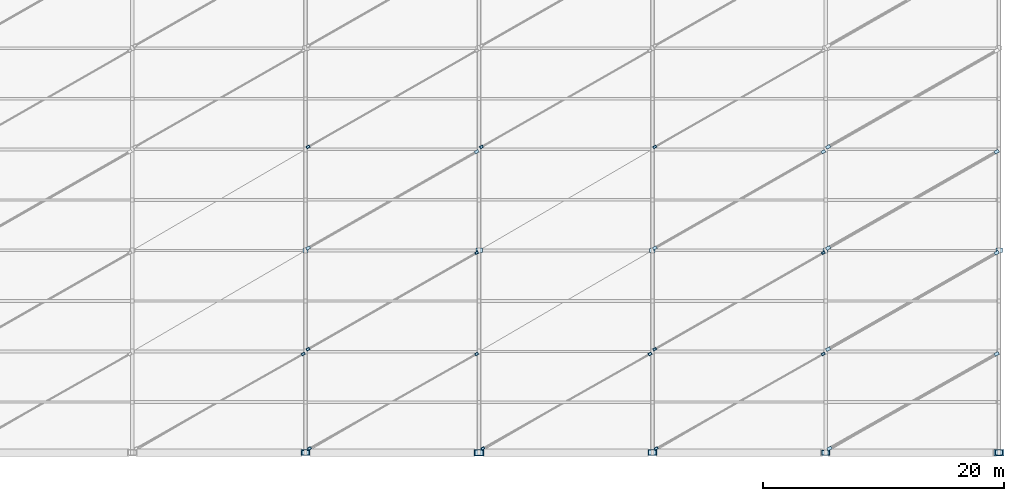
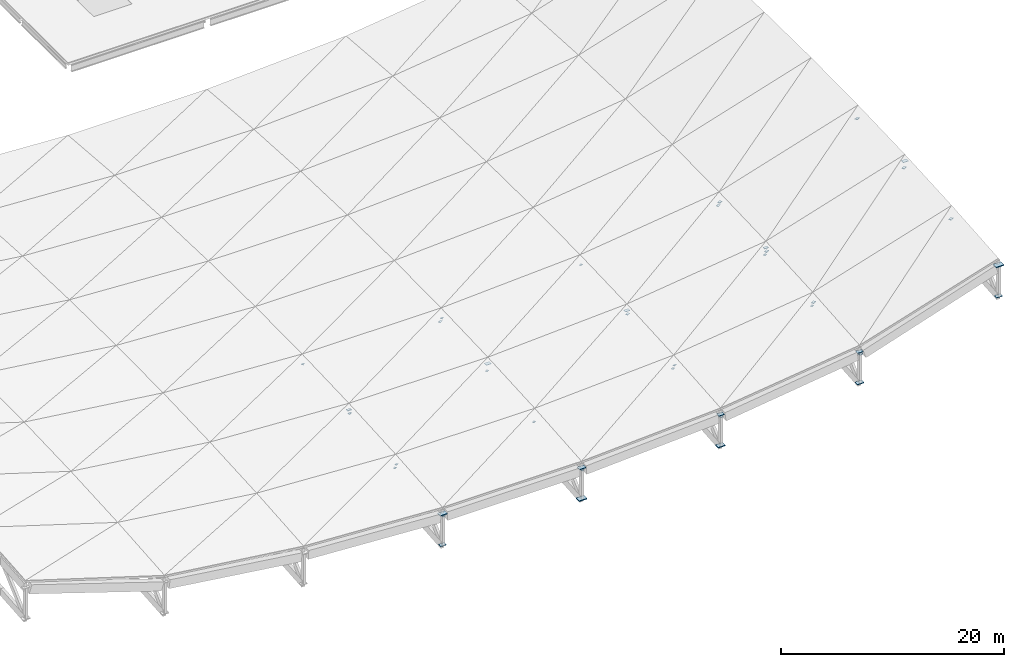
# One storey, part 16 of 22: 40 plates.
"""IFC4 building model written with IfcOpenShell, lengths in metres."""

from ifc_helpers import new_model, si_unit, direction, frame, origin, origin_2d, place, context, subcontext, project, spatial, rectangle, extrude, material, layer, layer_set, type_object, element, save


model = new_model("IFC4")

# Units and contexts
model_context = context("Model", 3, precision=1e-05, world=origin(), true_north=direction((0.0, 1.0)))
body_context = subcontext(model_context, "Body", "Model", "MODEL_VIEW")
ifc_project = project(units=[si_unit("LENGTHUNIT", "METRE"), si_unit("AREAUNIT", "SQUARE_METRE"), si_unit("VOLUMEUNIT", "CUBIC_METRE"), si_unit("PLANEANGLEUNIT", "RADIAN"), si_unit("MASSUNIT", "GRAM", prefix="KILO"), si_unit("THERMODYNAMICTEMPERATUREUNIT", "KELVIN")], contexts=[model_context])

# Site, building, storey
site_placement = place(None, origin())
site = spatial("IfcSite", under=ifc_project, at=site_placement, CompositionType="ELEMENT")
building_placement = place(site_placement, origin())
building = spatial("IfcBuilding", under=site, at=building_placement, Name="Nduvali Passage Aquatics Centre", CompositionType="ELEMENT")
storey_placement = place(building_placement, frame((0.0, 0.0, 21.60009765625)))
storey = spatial("IfcBuildingStorey", under=building, at=storey_placement, Name="RF", CompositionType="ELEMENT", Elevation=21.60009765625)

# Plates
ifc_material = material(Name="Steel S355", Category="steel")
ifc_layer_1 = layer(ifc_material, 0.01611328125, Name="Steel S355")
ifc_layer_set_1 = layer_set([ifc_layer_1], Name="Steel S355")
plate_type_1 = type_object("IfcPlateType", Name="STR-PLT-CAP1", PredefinedType="SHEET", material=ifc_layer_set_1)
for number, where, z_axis, x_axis, name in (
    (1, (68.60009765625, 42.199951171875, -7.935546875), (0.0, 0.0, 1.0), (0.866025403784, 0.5, 0.0), "Roof Brace End-Cap Gusset Plate 0101"),
    (2, (82.60009765625, 50.199951171875, -7.6357421875), (0.0, 0.0, 1.0), (0.866025403784, 0.5, 0.0), "Roof Brace End-Cap Gusset Plate 0102"),
    (3, (97.39990234375, 42.199951171875, -7.14453125), (0.0, 0.0, 1.0), (0.866025403784, 0.5, 0.0), "Roof Brace End-Cap Gusset Plate 0125"),
    (4, (111.39990234375, 50.199951171875, -5.0087890625), (0.0, 0.0, 1.0), (0.866025403784, 0.5, 0.0), "Roof Brace End-Cap Gusset Plate 0126"),
):
    element("IfcPlate", number, at=place(storey_placement, frame(where, z_axis=z_axis, x_axis=x_axis)), inside=storey, type_object=plate_type_1, Name=name, PredefinedType="SHEET", context=body_context, shape_type="SweptSolid", body=[
        extrude(rectangle(XDim=0.340087890625, YDim=0.239990234375, at=origin_2d()), origin(), (0.0, 0.0, 1.0), 0.01611328125),
    ])
ifc_layer_2 = layer(ifc_material, 0.010009765625, Name="Steel S355")
ifc_layer_set_2 = layer_set([ifc_layer_2], Name="Steel S355")
plate_type_2 = type_object("IfcPlateType", Name="STR-PLT-CAP2", PredefinedType="SHEET", material=ifc_layer_set_2)
for number, where, z_axis, x_axis, name in (
    (5, (68.199951171875, 33.39990234375, -8.4326171875), (0.0, 0.0, 1.0), (0.866025403784, 0.5, 0.0), "Roof Brace End-Cap Gusset Plate 0090"),
    (6, (68.719970703125, 25.550048828125, -9.1328125), (0.0, 0.0, 1.0), (0.866025403784, 0.5, 0.0), "Roof Brace End-Cap Gusset Plate 0097"),
    (7, (82.60009765625, 33.39990234375, -8.4326171875), (0.0, 0.0, 1.0), (0.866025403784, 0.5, 0.0), "Roof Brace End-Cap Gusset Plate 0098"),
    (8, (68.60009765625, 33.800048828125, -8.4326171875), (0.0, 0.0, 1.0), (0.866025403784, 0.5, 0.0), "Roof Brace End-Cap Gusset Plate 0099"),
    (9, (82.60009765625, 41.800048828125, -7.9326171875), (0.0, 0.0, 1.0), (0.866025403784, 0.5, 0.0), "Roof Brace End-Cap Gusset Plate 0100"),
    (10, (68.60009765625, 50.60009765625, -7.6328125), (0.0, 0.0, 1.0), (0.866025403784, 0.5, 0.0), "Roof Brace End-Cap Gusset Plate 0103"),
    (11, (83.1201171875, 25.550048828125, -9.1328125), (0.0, 0.0, 1.0), (0.866025403784, 0.5, 0.0), "Roof Brace End-Cap Gusset Plate 0113"),
    (12, (97.0, 33.39990234375, -7.6416015625), (0.0, 0.0, 1.0), (0.866025403784, 0.5, 0.0), "Roof Brace End-Cap Gusset Plate 0114"),
    (13, (83.0, 50.60009765625, -7.6328125), (0.0, 0.0, 1.0), (0.866025403784, 0.5, 0.0), "Roof Brace End-Cap Gusset Plate 0115"),
    (14, (97.52001953125, 25.550048828125, -8.34130859375), (0.0, 0.0, 1.0), (0.866025403784, 0.5, 0.0), "Roof Brace End-Cap Gusset Plate 0121"),
    (15, (111.39990234375, 33.39990234375, -5.8056640625), (0.0, 0.0, 1.0), (0.866025403784, 0.5, 0.0), "Roof Brace End-Cap Gusset Plate 0122"),
    (16, (97.39990234375, 33.800048828125, -7.6416015625), (0.0, 0.0, 1.0), (0.866025403784, 0.5, 0.0), "Roof Brace End-Cap Gusset Plate 0123"),
    (17, (111.39990234375, 41.800048828125, -5.3056640625), (0.0, 0.0, 1.0), (0.866025403784, 0.5, 0.0), "Roof Brace End-Cap Gusset Plate 0124"),
    (18, (97.39990234375, 50.60009765625, -6.84130859375), (0.0, 0.0, 1.0), (0.866025403784, 0.5, 0.0), "Roof Brace End-Cap Gusset Plate 0127"),
):
    element("IfcPlate", number, at=place(storey_placement, frame(where, z_axis=z_axis, x_axis=x_axis)), inside=storey, type_object=plate_type_2, Name=name, PredefinedType="SHEET", context=body_context, shape_type="SweptSolid", body=[
        extrude(rectangle(XDim=0.280029296875, YDim=0.199951171875, at=origin_2d()), origin(), (0.0, 0.0, 1.0), 0.010009765625),
    ])
ifc_layer_3 = layer(ifc_material, 0.02490234375, Name="Steel S355")
ifc_layer_set_3 = layer_set([ifc_layer_3], Name="Steel S355")
plate_type_3 = type_object("IfcPlateType", Name="STR-PLT-CAP3", PredefinedType="SHEET", material=ifc_layer_set_3)
for number, where, z_axis, x_axis, name in (
    (19, (111.919921875, 25.550048828125, -6.51318359375), (0.0, 0.0, 1.0), (0.866025403784, 0.5, 0.0), "Roof Brace End-Cap Gusset Plate 0137"),
    (20, (125.800048828125, 33.39990234375, -1.33447265625), (0.0, 0.0, 1.0), (0.866025403784, 0.5, 0.0), "Roof Brace End-Cap Gusset Plate 0138"),
    (21, (111.800048828125, 33.800048828125, -5.813232421875), (0.0, 0.0, 1.0), (0.866025403784, 0.5, 0.0), "Roof Brace End-Cap Gusset Plate 0139"),
    (22, (125.800048828125, 41.800048828125, -0.83447265625), (0.0, 0.0, 1.0), (0.866025403784, 0.5, 0.0), "Roof Brace End-Cap Gusset Plate 0140"),
    (23, (111.800048828125, 42.199951171875, -5.313232421875), (0.0, 0.0, 1.0), (0.866025403784, 0.5, 0.0), "Roof Brace End-Cap Gusset Plate 0141"),
    (24, (125.800048828125, 50.199951171875, -0.53466796875), (0.0, 0.0, 1.0), (0.866025403784, 0.5, 0.0), "Roof Brace End-Cap Gusset Plate 0142"),
    (25, (111.800048828125, 50.60009765625, -5.01318359375), (0.0, 0.0, 1.0), (0.866025403784, 0.5, 0.0), "Roof Brace End-Cap Gusset Plate 0143"),
):
    element("IfcPlate", number, at=place(storey_placement, frame(where, z_axis=z_axis, x_axis=x_axis)), inside=storey, type_object=plate_type_3, Name=name, PredefinedType="SHEET", context=body_context, shape_type="SweptSolid", body=[
        extrude(rectangle(XDim=0.3798828125, YDim=0.260009765625, at=origin_2d()), origin(), (0.0, 0.0, 1.0), 0.02490234375),
    ])
ifc_layer_4 = layer(ifc_material, 0.080078125, Name="Steel S355")
ifc_layer_set_4 = layer_set([ifc_layer_4], Name="Steel S355")
plate_type_4 = type_object("IfcPlateType", Name="STR-PLT-GN1", PredefinedType="SHEET", material=ifc_layer_set_4)
for number, where, z_axis, x_axis, name in (
    (26, (68.39990234375, 25.199951171875, -8.589599609375), (0.0, 0.0, 1.0), (1.0, 0.0, 0.0), "Glulam Arch Pinned Steel Shoe Node GN1 Rib 4"),
    (27, (97.199951171875, 25.199951171875, -11.198486328125), (0.0, 0.0, 1.0), (1.0, 0.0, 0.0), "Glulam Arch Pinned Steel Shoe Node GN1 Rib 6"),
):
    element("IfcPlate", number, at=place(storey_placement, frame(where, z_axis=z_axis, x_axis=x_axis)), inside=storey, type_object=plate_type_4, Name=name, PredefinedType="SHEET", context=body_context, shape_type="SweptSolid", body=[
        extrude(rectangle(XDim=0.75, YDim=0.5, at=origin_2d()), origin(), (0.0, 0.0, 1.0), 0.080078125),
    ])
ifc_layer_5 = layer(ifc_material, 0.070068359375, Name="Steel S355")
ifc_layer_set_5 = layer_set([ifc_layer_5], Name="Steel S355")
plate_type_5 = type_object("IfcPlateType", Name="STR-PLT-GN2", PredefinedType="SHEET", material=ifc_layer_set_5)
for number, where, z_axis, x_axis, name in (
    (28, (82.800048828125, 25.199951171875, -8.58447265625), (0.0, 0.0, 1.0), (1.0, 0.0, 0.0), "Glulam Arch Pinned Steel Shoe Node GN2 Rib 5"),
    (29, (111.60009765625, 25.199951171875, -9.35791015625), (0.0, 0.0, 1.0), (1.0, 0.0, 0.0), "Glulam Arch Pinned Steel Shoe Node GN2 Rib 7"),
):
    element("IfcPlate", number, at=place(storey_placement, frame(where, z_axis=z_axis, x_axis=x_axis)), inside=storey, type_object=plate_type_5, Name=name, PredefinedType="SHEET", context=body_context, shape_type="SweptSolid", body=[
        extrude(rectangle(XDim=0.679931640625, YDim=0.4599609375, at=origin_2d()), origin(), (0.0, 0.0, 1.0), 0.070068359375),
    ])
ifc_layer_6 = layer(ifc_material, 0.06005859375, Name="Steel S355")
ifc_layer_set_6 = layer_set([ifc_layer_6], Name="Steel S355")
plate_type_6 = type_object("IfcPlateType", Name="STR-PLT-GN3", PredefinedType="SHEET", material=ifc_layer_set_6)
for number, where, z_axis, x_axis, name in (
    (30, (97.199951171875, 25.199951171875, -7.78857421875), (0.0, 0.0, 1.0), (1.0, 0.0, 0.0), "Glulam Arch Pinned Steel Shoe Node GN3 Rib 6"),
    (31, (126.0, 25.199951171875, -4.904052734375), (0.0, 0.0, 1.0), (1.0, 0.0, 0.0), "Glulam Arch Pinned Steel Shoe Node GN3 Rib 8"),
):
    element("IfcPlate", number, at=place(storey_placement, frame(where, z_axis=z_axis, x_axis=x_axis)), inside=storey, type_object=plate_type_6, Name=name, PredefinedType="SHEET", context=body_context, shape_type="SweptSolid", body=[
        extrude(rectangle(XDim=0.60009765625, YDim=0.419921875, at=origin_2d()), origin(), (0.0, 0.0, 1.0), 0.06005859375),
    ])
ifc_layer_7 = layer(ifc_material, 0.0400390625, Name="Steel S355")
ifc_layer_set_7 = layer_set([ifc_layer_7], Name="Steel S355")
plate_type_7 = type_object("IfcPlateType", Name="STR-PLT-GN4", PredefinedType="SHEET", material=ifc_layer_set_7)
for number, where, z_axis, x_axis, name in (
    (32, (82.800048828125, 42.0, -7.36962890625), (0.0, 0.0, 1.0), (1.0, 0.0, 0.0), "Glulam Truss Splice Node GN4 R5"),
    (33, (126.0, 42.0, -0.294189453125), (0.0, 0.0, 1.0), (1.0, 0.0, 0.0), "Glulam Truss Splice Node GN4 R8"),
):
    element("IfcPlate", number, at=place(storey_placement, frame(where, z_axis=z_axis, x_axis=x_axis)), inside=storey, type_object=plate_type_7, Name=name, PredefinedType="SHEET", context=body_context, shape_type="SweptSolid", body=[
        extrude(rectangle(XDim=0.5400390625, YDim=0.3798828125, at=origin_2d()), origin(), (0.0, 0.0, 1.0), 0.0400390625),
    ])
ifc_layer_8 = layer(ifc_material, 0.030029296875, Name="Steel S355")
ifc_layer_set_8 = layer_set([ifc_layer_8], Name="Steel S355")
plate_type_8 = type_object("IfcPlateType", Name="STR-PLT-GN5", PredefinedType="SHEET", material=ifc_layer_set_8)
plate_placement = place(storey_placement, frame((97.199951171875, 42.0, -6.57373046875), z_axis=(0.0, 0.0, 1.0), x_axis=(1.0, 0.0, 0.0)))
element("IfcPlate", 34, at=plate_placement, inside=storey, type_object=plate_type_8, Name="Glulam Truss Splice Node GN5 R6", PredefinedType="SHEET", context=body_context, shape_type="SweptSolid", body=[
    extrude(rectangle(XDim=0.47998046875, YDim=0.340087890625, at=origin_2d()), origin(), (0.0, 0.0, 1.0), 0.030029296875),
])
ifc_layer_9 = layer(ifc_material, 0.02001953125, Name="Steel S355")
ifc_layer_set_9 = layer_set([ifc_layer_9], Name="Steel S355")
plate_type_9 = type_object("IfcPlateType", Name="STR-PLT-GN6", PredefinedType="SHEET", material=ifc_layer_set_9)
for number, where, z_axis, x_axis, name in (
    (35, (68.39990234375, 42.0, -7.359619140625), (0.0, 0.0, 1.0), (1.0, 0.0, 0.0), "Glulam Truss Splice Node GN6 R4"),
    (36, (111.60009765625, 42.0, -4.73291015625), (0.0, 0.0, 1.0), (1.0, 0.0, 0.0), "Glulam Truss Splice Node GN6 R7"),
):
    element("IfcPlate", number, at=place(storey_placement, frame(where, z_axis=z_axis, x_axis=x_axis)), inside=storey, type_object=plate_type_9, Name=name, PredefinedType="SHEET", context=body_context, shape_type="SweptSolid", body=[
        extrude(rectangle(XDim=0.419921875, YDim=0.300048828125, at=origin_2d()), origin(), (0.0, 0.0, 1.0), 0.02001953125),
    ])
ifc_layer_10 = layer(ifc_material, 0.090087890625, Name="Steel S355")
ifc_layer_set_10 = layer_set([ifc_layer_10], Name="Steel S355")
plate_type_10 = type_object("IfcPlateType", Name="STR-PLT-GN7", PredefinedType="SHEET", material=ifc_layer_set_10)
for number, where, z_axis, x_axis, name in (
    (37, (82.800048828125, 25.199951171875, -11.99462890625), (0.0, 0.0, 1.0), (1.0, 0.0, 0.0), "Glulam Arch Pinned Steel Shoe Node GN7 Rib 5"),
    (38, (126.0, 25.199951171875, -1.51904296875), (0.0, 0.0, 1.0), (1.0, 0.0, 0.0), "Glulam Arch Pinned Steel Shoe Node GN7 Rib 8"),
):
    element("IfcPlate", number, at=place(storey_placement, frame(where, z_axis=z_axis, x_axis=x_axis)), inside=storey, type_object=plate_type_10, Name=name, PredefinedType="SHEET", context=body_context, shape_type="SweptSolid", body=[
        extrude(rectangle(XDim=0.820068359375, YDim=0.56005859375, at=origin_2d()), origin(), (0.0, 0.0, 1.0), 0.090087890625),
    ])
ifc_layer_11 = layer(ifc_material, 0.050048828125, Name="Steel S355")
ifc_layer_set_11 = layer_set([ifc_layer_11], Name="Steel S355")
plate_type_11 = type_object("IfcPlateType", Name="STR-PLT-GN8", PredefinedType="SHEET", material=ifc_layer_set_11)
for number, where, z_axis, x_axis, name in (
    (39, (68.39990234375, 25.199951171875, -11.974609375), (0.0, 0.0, 1.0), (1.0, 0.0, 0.0), "Glulam Arch Pinned Steel Shoe Node GN8 Rib 4"),
    (40, (111.60009765625, 25.199951171875, -5.94775390625), (0.0, 0.0, 1.0), (1.0, 0.0, 0.0), "Glulam Arch Pinned Steel Shoe Node GN8 Rib 7"),
):
    element("IfcPlate", number, at=place(storey_placement, frame(where, z_axis=z_axis, x_axis=x_axis)), inside=storey, type_object=plate_type_11, Name=name, PredefinedType="SHEET", context=body_context, shape_type="SweptSolid", body=[
        extrude(rectangle(XDim=0.580078125, YDim=0.39990234375, at=origin_2d()), origin(), (0.0, 0.0, 1.0), 0.050048828125),
    ])

save(model, "model.ifc")
